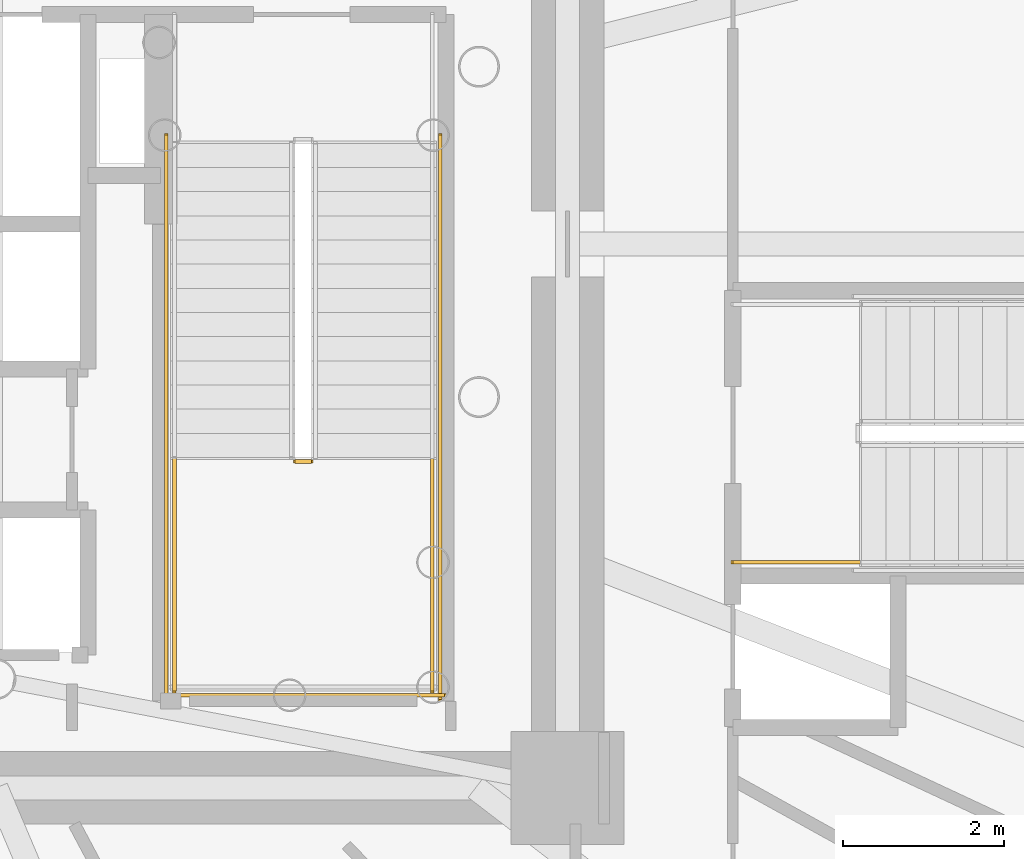
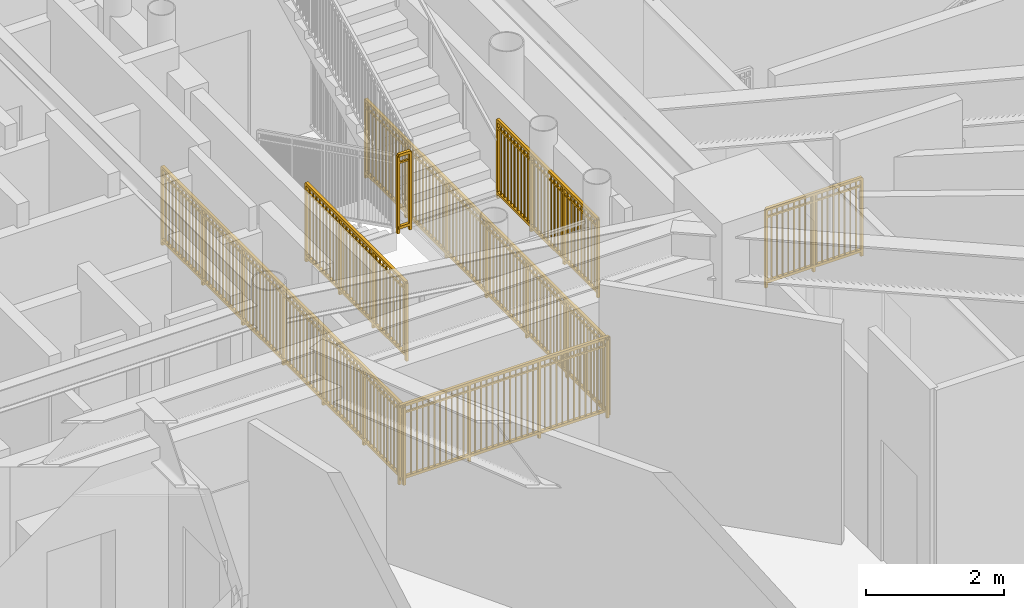
# One storey, part 23 of 27: 7 railings.
"""IFC4 building model written with IfcOpenShell, lengths in metres."""

import ifcopenshell
import ifcopenshell.guid

model = None  # the IFC model being written
_history = None  # IfcOwnerHistory: only IFC2X3 demands one
_inside = {}  # id of a spatial element -> (the spatial element, [elements in it])
_under = {}  # id of a project, library or spatial element -> (it, [spatial elements below it])
_declared = {}  # id of a project -> (the project, [libraries it declares])
_typed = {}  # id of a type object -> (the type object, [elements of that type])
_made_of = {}  # id of a material, layer set ... -> (it, [elements and type objects made of it])


def new_model(schema):
    """Start an empty IFC model of exactly this schema.

    Asked for "IFC4X3", IfcOpenShell would pick the latest addendum, in which some entities
    have other attributes; the version numbers below select the first issue.
    IFC2X3 requires an IfcOwnerHistory on every rooted entity: one is made here for all.
    """
    global model, _history
    if schema == "IFC4X3":
        model = ifcopenshell.file(schema_version=(4, 3, 0, 0))
    else:
        model = ifcopenshell.file(schema=schema)
    _inside.clear()
    _under.clear()
    _declared.clear()
    _typed.clear()
    _made_of.clear()
    _history = None
    if model.schema == "IFC2X3":
        org = make("IfcOrganization", Name="unknown")
        user = make(
            "IfcPersonAndOrganization",
            ThePerson=make("IfcPerson", FamilyName="unknown"),
            TheOrganization=org,
        )
        app = make(
            "IfcApplication",
            ApplicationDeveloper=org,
            Version="unknown",
            ApplicationFullName="unknown",
            ApplicationIdentifier="unknown",
        )
        _history = make(
            "IfcOwnerHistory",
            OwningUser=user,
            OwningApplication=app,
            ChangeAction="ADDED",
            CreationDate=0,
        )
    return model


def make(cls, **values):
    """One entity of the class cls with the attributes given. An attribute that is None is left unset."""
    return model.create_entity(
        cls, **{name: value for name, value in values.items() if value is not None}
    )


def rooted(cls, **values):
    """An entity with a GlobalId (a new one), such as an element, a storey or a relation."""
    return make(cls, GlobalId=ifcopenshell.guid.new(), OwnerHistory=_history, **values)


def si_unit(unit_type, name, prefix=None):
    """IfcSIUnit, for example si_unit("LENGTHUNIT", "METRE", prefix="MILLI")."""
    return make("IfcSIUnit", UnitType=unit_type, Prefix=prefix, Name=name)


def assignment(units):
    """IfcUnitAssignment: the units of a project."""
    return None if units is None else make("IfcUnitAssignment", Units=units)


def point(xyz):
    """IfcCartesianPoint."""
    return None if xyz is None else make("IfcCartesianPoint", Coordinates=xyz)


def direction(xyz):
    """IfcDirection."""
    return None if xyz is None else make("IfcDirection", DirectionRatios=xyz)


def frame(location, z_axis=None, x_axis=None):
    """IfcAxis2Placement3D, a coordinate frame: its origin and axes. An axis left out is left unset."""
    return make(
        "IfcAxis2Placement3D",
        Location=point(location),
        Axis=direction(z_axis),
        RefDirection=direction(x_axis),
    )


def frame_2d(location, x_axis=None):
    """IfcAxis2Placement2D, a coordinate frame in the plane: its origin and x axis."""
    return make(
        "IfcAxis2Placement2D", Location=point(location), RefDirection=direction(x_axis)
    )


def origin():
    """The frame at (0, 0, 0) with its axes left unset."""
    return frame((0.0, 0.0, 0.0))


def origin_2d():
    """The frame at (0, 0) in the plane with its x axis left unset."""
    return frame_2d((0.0, 0.0))


def place(relative_to, where):
    """IfcLocalPlacement: puts the frame where relative to a parent placement (None: the world)."""
    return make(
        "IfcLocalPlacement", PlacementRelTo=relative_to, RelativePlacement=where
    )


def context(
    kind, dimensions, precision=None, world=None, true_north=None, identifier=None
):
    """IfcGeometricRepresentationContext, for example the 3D "Model" context."""
    return make(
        "IfcGeometricRepresentationContext",
        ContextIdentifier=identifier,
        ContextType=kind,
        CoordinateSpaceDimension=dimensions,
        Precision=precision,
        WorldCoordinateSystem=world,
        TrueNorth=true_north,
    )


def subcontext(parent, identifier, kind, view, scale=None):
    """IfcGeometricRepresentationSubContext, for example "Body" below "Model"."""
    return make(
        "IfcGeometricRepresentationSubContext",
        ContextIdentifier=identifier,
        ContextType=kind,
        ParentContext=parent,
        TargetScale=scale,
        TargetView=view,
    )


def project(units=None, contexts=None):
    """IfcProject with its units and contexts."""
    return rooted(
        "IfcProject",
        Name="project",
        RepresentationContexts=contexts,
        UnitsInContext=assignment(units),
    )


def spatial(cls, under=None, at=None, **own):
    """A site, building, storey or space (cls), placed at a placement, below another one or the project."""
    s = rooted(cls, ObjectPlacement=at, **own)
    if under is not None:
        _under.setdefault(under.id(), (under, []))[1].append(s)
    return s


def profile(cls, at=None, kind="AREA", **sizes):
    """A parametric profile (cls). Its sizes go by their IFC names, for example OverallWidth=200.0."""
    return make(cls, ProfileType=kind, Position=at, **sizes)


def rectangle(**sizes):
    """IfcRectangleProfileDef."""
    return profile("IfcRectangleProfileDef", **sizes)


def extrude(swept, where, along, depth):
    """IfcExtrudedAreaSolid: the profile swept, set in the frame where, extruded along a direction by depth."""
    return make(
        "IfcExtrudedAreaSolid",
        SweptArea=swept,
        Position=where,
        ExtrudedDirection=direction(along),
        Depth=depth,
    )


def shape(context_of_items, identifier, shape_type, items):
    """IfcShapeRepresentation: the items that make up one representation, for example the "Body"."""
    return make(
        "IfcShapeRepresentation",
        ContextOfItems=context_of_items,
        RepresentationIdentifier=identifier,
        RepresentationType=shape_type,
        Items=items,
    )


def source(mapping_origin, context_of_items, identifier, shape_type, items):
    """IfcRepresentationMap: a shape defined once, which mapped items show again and again."""
    return make(
        "IfcRepresentationMap",
        MappingOrigin=mapping_origin,
        MappedRepresentation=shape(context_of_items, identifier, shape_type, items),
    )


def transform(
    local_origin,
    x_axis=None,
    y_axis=None,
    z_axis=None,
    scale=None,
    scale2=None,
    scale3=None,
    uniform=True,
):
    """IfcCartesianTransformationOperator3D, or its non-uniform kind. x_axis, y_axis, z_axis: its Axis1, 2, 3."""
    if uniform:
        return make(
            "IfcCartesianTransformationOperator3D",
            Axis1=direction(x_axis),
            Axis2=direction(y_axis),
            LocalOrigin=point(local_origin),
            Scale=scale,
            Axis3=direction(z_axis),
        )
    return make(
        "IfcCartesianTransformationOperator3DnonUniform",
        Axis1=direction(x_axis),
        Axis2=direction(y_axis),
        LocalOrigin=point(local_origin),
        Scale=scale,
        Axis3=direction(z_axis),
        Scale2=scale2,
        Scale3=scale3,
    )


def mapped(mapping_source, mapping_target):
    """IfcMappedItem: shows the shape of a source again, moved by a transform."""
    return make(
        "IfcMappedItem", MappingSource=mapping_source, MappingTarget=mapping_target
    )


def material(Name=None, Category=None):
    """IfcMaterial."""
    return make("IfcMaterial", Name=Name, Category=Category)


def made_of(thing, what):
    """Note that an element or type object is made of a material, layer set ...; save() writes the relation."""
    if what is not None:
        _made_of.setdefault(what.id(), (what, []))[1].append(thing)
    return thing


def type_object(cls, material=None, **own):
    """A type object (cls), such as IfcWallType, which elements share."""
    return made_of(rooted(cls, **own), material)


def element(
    cls,
    number,
    at=None,
    inside=None,
    cuts=None,
    type_object=None,
    material=None,
    context=None,
    identifier="Body",
    shape_type=None,
    held_by="IfcProductDefinitionShape",
    body=None,
    shapes=None,
    **own,
):
    """One element of the class cls, such as IfcWall. Its Tag is "e" and its number.

    at: its placement. inside: the storey or other place that contains it. cuts: it is an
    opening in that element (IfcRelVoidsElement). A single representation is given by context,
    identifier, shape_type and body (its items); several are given by shapes. held_by: the class
    of the entity that holds the representations. save() writes the other relations.
    """
    e = rooted(cls, Tag="e%d" % number, ObjectPlacement=at, **own)
    if body is not None:
        shapes = [shape(context, identifier, shape_type, body)]
    if shapes is not None:
        e.Representation = make(held_by, Representations=shapes)
    if inside is not None:
        _inside.setdefault(inside.id(), (inside, []))[1].append(e)
    if cuts is not None:
        rooted(
            "IfcRelVoidsElement", RelatingBuildingElement=cuts, RelatedOpeningElement=e
        )
    if type_object is not None:
        _typed.setdefault(type_object.id(), (type_object, []))[1].append(e)
    return made_of(e, material)


def aggregate(whole, parts):
    """IfcRelAggregates: a whole, such as a stair, and the parts it consists of."""
    return rooted("IfcRelAggregates", RelatingObject=whole, RelatedObjects=parts)


def save(model, path):
    """Write the relations noted so far, then the file.

    IfcRelAggregates (storeys below a building ...), IfcRelContainedInSpatialStructure (elements
    in a storey), IfcRelDefinesByType, IfcRelAssociatesMaterial and IfcRelDeclares: one each for
    every whole, place, type object, material and project.
    """
    for whole, parts in _under.values():
        aggregate(whole, parts)
    for where, things in _inside.values():
        rooted(
            "IfcRelContainedInSpatialStructure",
            RelatedElements=things,
            RelatingStructure=where,
        )
    for kind, things in _typed.values():
        rooted("IfcRelDefinesByType", RelatedObjects=things, RelatingType=kind)
    for what, things in _made_of.values():
        rooted("IfcRelAssociatesMaterial", RelatedObjects=things, RelatingMaterial=what)
    for by, libraries in _declared.values():
        rooted("IfcRelDeclares", RelatingContext=by, RelatedDefinitions=libraries)
    model.write(path)


model = new_model("IFC4")

# Units and contexts
model_context = context("Model", 3, precision=1e-05, world=origin(), true_north=direction((0.0, 1.0)))
body_context = subcontext(model_context, "Body", "Model", "MODEL_VIEW")
ifc_project = project(units=[si_unit("LENGTHUNIT", "METRE"), si_unit("AREAUNIT", "SQUARE_METRE"), si_unit("VOLUMEUNIT", "CUBIC_METRE"), si_unit("PLANEANGLEUNIT", "RADIAN"), si_unit("MASSUNIT", "GRAM", prefix="KILO")], contexts=[model_context])

# Site, building, storey
site_placement = place(None, origin())
site = spatial("IfcSite", under=ifc_project, at=site_placement, CompositionType="ELEMENT")
building_placement = place(site_placement, origin())
building = spatial("IfcBuilding", under=site, at=building_placement, Name="Linh Dai School and Residence Tower", CompositionType="ELEMENT")
storey_placement = place(building_placement, frame((0.0, 0.0, 18.60009765625)))
storey = spatial("IfcBuildingStorey", under=building, at=storey_placement, Name="L04", CompositionType="ELEMENT", Elevation=18.60009765625)

# Railings
ifc_material = material(Name="Structural Steel S355JR", Category="steel")
railing_type = type_object("IfcRailingType", Name="RL-ST-GUARD-1400", PredefinedType="GUARDRAIL", material=ifc_material)
shared_shape_1 = source(origin(), body_context, "Body", "SweptSolid", [
    extrude(rectangle(XDim=0.048095703125, YDim=0.048095703125, at=origin_2d()), frame((0.0, 0.0, 1.3759765625), z_axis=(1.0, 0.0, 0.0), x_axis=(0.0, 1.0, 0.0)), (0.0, 0.0, 1.0), 0.199951171875),
    extrude(rectangle(XDim=0.048095703125, YDim=0.048095703125, at=origin_2d()), frame((0.0, 0.0, 0.10009765625), z_axis=(1.0, 0.0, 0.0), x_axis=(0.0, 1.0, 0.0)), (0.0, 0.0, 1.0), 0.199951171875),
    extrude(rectangle(XDim=0.030029296875, YDim=0.030029296875, at=origin_2d()), frame((0.0, 0.0, 1.239990234375), z_axis=(1.0, 0.0, 0.0), x_axis=(0.0, 1.0, 0.0)), (0.0, 0.0, 1.0), 0.199951171875),
    extrude(rectangle(XDim=0.0419921875, YDim=0.0419921875, at=origin_2d()), origin(), (0.0, 0.0, 1.0), 1.3759765625),
    extrude(rectangle(XDim=0.0419921875, YDim=0.0419921875, at=origin_2d()), frame((0.199951171875, 0.0, 0.0)), (0.0, 0.0, 1.0), 1.3759765625),
])
railing_1_placement = place(storey_placement, frame((42.570068359375, 24.300048828125, 2.099853515625)))
element("IfcRailing", 1, at=railing_1_placement, inside=storey, type_object=railing_type, Name="L04 ST2 stair guard 2", PredefinedType="GUARDRAIL", context=body_context, shape_type="MappedRepresentation", body=[
    mapped(shared_shape_1, transform((0.0, 0.0, 0.0), x_axis=(1.0, 0.0, 0.0), y_axis=(0.0, 1.0, 0.0), z_axis=(0.0, 0.0, 1.0), scale=1.0)),
])
shared_shape_2 = source(origin(), body_context, "Body", "SweptSolid", [
    extrude(rectangle(XDim=0.048095703125, YDim=0.048095703125, at=origin_2d()), frame((0.0, 0.0, 1.3759765625), z_axis=(0.0, -1.0, 0.0), x_axis=(1.0, 0.0, 0.0)), (0.0, 0.0, 1.0), 7.0),
    extrude(rectangle(XDim=0.048095703125, YDim=0.048095703125, at=origin_2d()), frame((0.0, 0.0, 0.10009765625), z_axis=(0.0, -1.0, 0.0), x_axis=(1.0, 0.0, 0.0)), (0.0, 0.0, 1.0), 7.0),
    extrude(rectangle(XDim=0.030029296875, YDim=0.030029296875, at=origin_2d()), frame((0.0, 0.0, 1.239990234375), z_axis=(0.0, -1.0, 0.0), x_axis=(1.0, 0.0, 0.0)), (0.0, 0.0, 1.0), 7.0),
    extrude(rectangle(XDim=0.02001953125, YDim=0.02001953125, at=origin_2d()), frame((0.0, -0.09716796875, 0.10009765625)), (0.0, 0.0, 1.0), 1.251708984375),
    extrude(rectangle(XDim=0.02001953125, YDim=0.02001953125, at=origin_2d()), frame((0.0, -0.1943359375, 0.10009765625)), (0.0, 0.0, 1.0), 1.251708984375),
    extrude(rectangle(XDim=0.02001953125, YDim=0.02001953125, at=origin_2d()), frame((0.0, -0.291748046875, 0.10009765625)), (0.0, 0.0, 1.0), 1.251708984375),
    extrude(rectangle(XDim=0.02001953125, YDim=0.02001953125, at=origin_2d()), frame((0.0, -0.388916015625, 0.10009765625)), (0.0, 0.0, 1.0), 1.251708984375),
    extrude(rectangle(XDim=0.02001953125, YDim=0.02001953125, at=origin_2d()), frame((0.0, -0.486083984375, 0.10009765625)), (0.0, 0.0, 1.0), 1.251708984375),
    extrude(rectangle(XDim=0.02001953125, YDim=0.02001953125, at=origin_2d()), frame((0.0, -0.583251953125, 0.10009765625)), (0.0, 0.0, 1.0), 1.251708984375),
    extrude(rectangle(XDim=0.02001953125, YDim=0.02001953125, at=origin_2d()), frame((0.0, -0.6806640625, 0.10009765625)), (0.0, 0.0, 1.0), 1.251708984375),
    extrude(rectangle(XDim=0.02001953125, YDim=0.02001953125, at=origin_2d()), frame((0.0, -0.77783203125, 0.10009765625)), (0.0, 0.0, 1.0), 1.251708984375),
    extrude(rectangle(XDim=0.02001953125, YDim=0.02001953125, at=origin_2d()), frame((0.0, -0.875, 0.10009765625)), (0.0, 0.0, 1.0), 1.251708984375),
    extrude(rectangle(XDim=0.02001953125, YDim=0.02001953125, at=origin_2d()), frame((0.0, -0.97216796875, 0.10009765625)), (0.0, 0.0, 1.0), 1.251708984375),
    extrude(rectangle(XDim=0.02001953125, YDim=0.02001953125, at=origin_2d()), frame((0.0, -1.0693359375, 0.10009765625)), (0.0, 0.0, 1.0), 1.251708984375),
    extrude(rectangle(XDim=0.02001953125, YDim=0.02001953125, at=origin_2d()), frame((0.0, -1.263916015625, 0.10009765625)), (0.0, 0.0, 1.0), 1.251708984375),
    extrude(rectangle(XDim=0.02001953125, YDim=0.02001953125, at=origin_2d()), frame((0.0, -1.361083984375, 0.10009765625)), (0.0, 0.0, 1.0), 1.251708984375),
    extrude(rectangle(XDim=0.02001953125, YDim=0.02001953125, at=origin_2d()), frame((0.0, -1.458251953125, 0.10009765625)), (0.0, 0.0, 1.0), 1.251708984375),
    extrude(rectangle(XDim=0.02001953125, YDim=0.02001953125, at=origin_2d()), frame((0.0, -1.5556640625, 0.10009765625)), (0.0, 0.0, 1.0), 1.251708984375),
    extrude(rectangle(XDim=0.02001953125, YDim=0.02001953125, at=origin_2d()), frame((0.0, -1.65283203125, 0.10009765625)), (0.0, 0.0, 1.0), 1.251708984375),
    extrude(rectangle(XDim=0.02001953125, YDim=0.02001953125, at=origin_2d()), frame((0.0, -1.75, 0.10009765625)), (0.0, 0.0, 1.0), 1.251708984375),
    extrude(rectangle(XDim=0.02001953125, YDim=0.02001953125, at=origin_2d()), frame((0.0, -1.84716796875, 0.10009765625)), (0.0, 0.0, 1.0), 1.251708984375),
    extrude(rectangle(XDim=0.02001953125, YDim=0.02001953125, at=origin_2d()), frame((0.0, -1.9443359375, 0.10009765625)), (0.0, 0.0, 1.0), 1.251708984375),
    extrude(rectangle(XDim=0.02001953125, YDim=0.02001953125, at=origin_2d()), frame((0.0, -2.041748046875, 0.10009765625)), (0.0, 0.0, 1.0), 1.251708984375),
    extrude(rectangle(XDim=0.02001953125, YDim=0.02001953125, at=origin_2d()), frame((0.0, -2.138916015625, 0.10009765625)), (0.0, 0.0, 1.0), 1.251708984375),
    extrude(rectangle(XDim=0.02001953125, YDim=0.02001953125, at=origin_2d()), frame((0.0, -2.236083984375, 0.10009765625)), (0.0, 0.0, 1.0), 1.251708984375),
    extrude(rectangle(XDim=0.02001953125, YDim=0.02001953125, at=origin_2d()), frame((0.0, -2.4306640625, 0.10009765625)), (0.0, 0.0, 1.0), 1.251708984375),
    extrude(rectangle(XDim=0.02001953125, YDim=0.02001953125, at=origin_2d()), frame((0.0, -2.52783203125, 0.10009765625)), (0.0, 0.0, 1.0), 1.251708984375),
    extrude(rectangle(XDim=0.02001953125, YDim=0.02001953125, at=origin_2d()), frame((0.0, -2.625, 0.10009765625)), (0.0, 0.0, 1.0), 1.251708984375),
    extrude(rectangle(XDim=0.02001953125, YDim=0.02001953125, at=origin_2d()), frame((0.0, -2.72216796875, 0.10009765625)), (0.0, 0.0, 1.0), 1.251708984375),
    extrude(rectangle(XDim=0.02001953125, YDim=0.02001953125, at=origin_2d()), frame((0.0, -2.8193359375, 0.10009765625)), (0.0, 0.0, 1.0), 1.251708984375),
    extrude(rectangle(XDim=0.02001953125, YDim=0.02001953125, at=origin_2d()), frame((0.0, -2.916748046875, 0.10009765625)), (0.0, 0.0, 1.0), 1.251708984375),
    extrude(rectangle(XDim=0.02001953125, YDim=0.02001953125, at=origin_2d()), frame((0.0, -3.013916015625, 0.10009765625)), (0.0, 0.0, 1.0), 1.251708984375),
    extrude(rectangle(XDim=0.02001953125, YDim=0.02001953125, at=origin_2d()), frame((0.0, -3.111083984375, 0.10009765625)), (0.0, 0.0, 1.0), 1.251708984375),
    extrude(rectangle(XDim=0.02001953125, YDim=0.02001953125, at=origin_2d()), frame((0.0, -3.208251953125, 0.10009765625)), (0.0, 0.0, 1.0), 1.251708984375),
    extrude(rectangle(XDim=0.02001953125, YDim=0.02001953125, at=origin_2d()), frame((0.0, -3.3056640625, 0.10009765625)), (0.0, 0.0, 1.0), 1.251708984375),
    extrude(rectangle(XDim=0.02001953125, YDim=0.02001953125, at=origin_2d()), frame((0.0, -3.40283203125, 0.10009765625)), (0.0, 0.0, 1.0), 1.251708984375),
    extrude(rectangle(XDim=0.02001953125, YDim=0.02001953125, at=origin_2d()), frame((0.0, -3.59716796875, 0.10009765625)), (0.0, 0.0, 1.0), 1.251708984375),
    extrude(rectangle(XDim=0.02001953125, YDim=0.02001953125, at=origin_2d()), frame((0.0, -3.6943359375, 0.10009765625)), (0.0, 0.0, 1.0), 1.251708984375),
    extrude(rectangle(XDim=0.02001953125, YDim=0.02001953125, at=origin_2d()), frame((0.0, -3.791748046875, 0.10009765625)), (0.0, 0.0, 1.0), 1.251708984375),
    extrude(rectangle(XDim=0.02001953125, YDim=0.02001953125, at=origin_2d()), frame((0.0, -3.888916015625, 0.10009765625)), (0.0, 0.0, 1.0), 1.251708984375),
    extrude(rectangle(XDim=0.02001953125, YDim=0.02001953125, at=origin_2d()), frame((0.0, -3.986083984375, 0.10009765625)), (0.0, 0.0, 1.0), 1.251708984375),
    extrude(rectangle(XDim=0.02001953125, YDim=0.02001953125, at=origin_2d()), frame((0.0, -4.083251953125, 0.10009765625)), (0.0, 0.0, 1.0), 1.251708984375),
    extrude(rectangle(XDim=0.02001953125, YDim=0.02001953125, at=origin_2d()), frame((0.0, -4.1806640625, 0.10009765625)), (0.0, 0.0, 1.0), 1.251708984375),
    extrude(rectangle(XDim=0.02001953125, YDim=0.02001953125, at=origin_2d()), frame((0.0, -4.27783203125, 0.10009765625)), (0.0, 0.0, 1.0), 1.251708984375),
    extrude(rectangle(XDim=0.02001953125, YDim=0.02001953125, at=origin_2d()), frame((0.0, -4.375, 0.10009765625)), (0.0, 0.0, 1.0), 1.251708984375),
    extrude(rectangle(XDim=0.02001953125, YDim=0.02001953125, at=origin_2d()), frame((0.0, -4.47216796875, 0.10009765625)), (0.0, 0.0, 1.0), 1.251708984375),
    extrude(rectangle(XDim=0.02001953125, YDim=0.02001953125, at=origin_2d()), frame((0.0, -4.5693359375, 0.10009765625)), (0.0, 0.0, 1.0), 1.251708984375),
    extrude(rectangle(XDim=0.02001953125, YDim=0.02001953125, at=origin_2d()), frame((0.0, -4.763916015625, 0.10009765625)), (0.0, 0.0, 1.0), 1.251708984375),
    extrude(rectangle(XDim=0.02001953125, YDim=0.02001953125, at=origin_2d()), frame((0.0, -4.861083984375, 0.10009765625)), (0.0, 0.0, 1.0), 1.251708984375),
    extrude(rectangle(XDim=0.02001953125, YDim=0.02001953125, at=origin_2d()), frame((0.0, -4.958251953125, 0.10009765625)), (0.0, 0.0, 1.0), 1.251708984375),
    extrude(rectangle(XDim=0.02001953125, YDim=0.02001953125, at=origin_2d()), frame((0.0, -5.0556640625, 0.10009765625)), (0.0, 0.0, 1.0), 1.251708984375),
    extrude(rectangle(XDim=0.02001953125, YDim=0.02001953125, at=origin_2d()), frame((0.0, -5.15283203125, 0.10009765625)), (0.0, 0.0, 1.0), 1.251708984375),
    extrude(rectangle(XDim=0.02001953125, YDim=0.02001953125, at=origin_2d()), frame((0.0, -5.25, 0.10009765625)), (0.0, 0.0, 1.0), 1.251708984375),
    extrude(rectangle(XDim=0.02001953125, YDim=0.02001953125, at=origin_2d()), frame((0.0, -5.34716796875, 0.10009765625)), (0.0, 0.0, 1.0), 1.251708984375),
    extrude(rectangle(XDim=0.02001953125, YDim=0.02001953125, at=origin_2d()), frame((0.0, -5.4443359375, 0.10009765625)), (0.0, 0.0, 1.0), 1.251708984375),
    extrude(rectangle(XDim=0.02001953125, YDim=0.02001953125, at=origin_2d()), frame((0.0, -5.541748046875, 0.10009765625)), (0.0, 0.0, 1.0), 1.251708984375),
    extrude(rectangle(XDim=0.02001953125, YDim=0.02001953125, at=origin_2d()), frame((0.0, -5.638916015625, 0.10009765625)), (0.0, 0.0, 1.0), 1.251708984375),
    extrude(rectangle(XDim=0.02001953125, YDim=0.02001953125, at=origin_2d()), frame((0.0, -5.736083984375, 0.10009765625)), (0.0, 0.0, 1.0), 1.251708984375),
    extrude(rectangle(XDim=0.02001953125, YDim=0.02001953125, at=origin_2d()), frame((0.0, -5.9306640625, 0.10009765625)), (0.0, 0.0, 1.0), 1.251708984375),
    extrude(rectangle(XDim=0.02001953125, YDim=0.02001953125, at=origin_2d()), frame((0.0, -6.02783203125, 0.10009765625)), (0.0, 0.0, 1.0), 1.251708984375),
    extrude(rectangle(XDim=0.02001953125, YDim=0.02001953125, at=origin_2d()), frame((0.0, -6.125, 0.10009765625)), (0.0, 0.0, 1.0), 1.251708984375),
    extrude(rectangle(XDim=0.02001953125, YDim=0.02001953125, at=origin_2d()), frame((0.0, -6.22216796875, 0.10009765625)), (0.0, 0.0, 1.0), 1.251708984375),
    extrude(rectangle(XDim=0.02001953125, YDim=0.02001953125, at=origin_2d()), frame((0.0, -6.3193359375, 0.10009765625)), (0.0, 0.0, 1.0), 1.251708984375),
    extrude(rectangle(XDim=0.02001953125, YDim=0.02001953125, at=origin_2d()), frame((0.0, -6.416748046875, 0.10009765625)), (0.0, 0.0, 1.0), 1.251708984375),
    extrude(rectangle(XDim=0.02001953125, YDim=0.02001953125, at=origin_2d()), frame((0.0, -6.513916015625, 0.10009765625)), (0.0, 0.0, 1.0), 1.251708984375),
    extrude(rectangle(XDim=0.02001953125, YDim=0.02001953125, at=origin_2d()), frame((0.0, -6.611083984375, 0.10009765625)), (0.0, 0.0, 1.0), 1.251708984375),
    extrude(rectangle(XDim=0.02001953125, YDim=0.02001953125, at=origin_2d()), frame((0.0, -6.708251953125, 0.10009765625)), (0.0, 0.0, 1.0), 1.251708984375),
    extrude(rectangle(XDim=0.02001953125, YDim=0.02001953125, at=origin_2d()), frame((0.0, -6.8056640625, 0.10009765625)), (0.0, 0.0, 1.0), 1.251708984375),
    extrude(rectangle(XDim=0.02001953125, YDim=0.02001953125, at=origin_2d()), frame((0.0, -6.90283203125, 0.10009765625)), (0.0, 0.0, 1.0), 1.251708984375),
    extrude(rectangle(XDim=0.0419921875, YDim=0.0419921875, at=origin_2d()), origin(), (0.0, 0.0, 1.0), 1.3759765625),
    extrude(rectangle(XDim=0.0419921875, YDim=0.0419921875, at=origin_2d()), frame((0.0, -1.166748046875, 0.0)), (0.0, 0.0, 1.0), 1.3759765625),
    extrude(rectangle(XDim=0.0419921875, YDim=0.0419921875, at=origin_2d()), frame((0.0, -2.333251953125, 0.0)), (0.0, 0.0, 1.0), 1.3759765625),
    extrude(rectangle(XDim=0.0419921875, YDim=0.0419921875, at=origin_2d()), frame((0.0, -3.5, 0.0)), (0.0, 0.0, 1.0), 1.3759765625),
    extrude(rectangle(XDim=0.0419921875, YDim=0.0419921875, at=origin_2d()), frame((0.0, -4.666748046875, 0.0)), (0.0, 0.0, 1.0), 1.3759765625),
    extrude(rectangle(XDim=0.0419921875, YDim=0.0419921875, at=origin_2d()), frame((0.0, -5.833251953125, 0.0)), (0.0, 0.0, 1.0), 1.3759765625),
    extrude(rectangle(XDim=0.0419921875, YDim=0.0419921875, at=origin_2d()), frame((0.0, -7.0, 0.0)), (0.0, 0.0, 1.0), 1.3759765625),
])
for number, where, name in (
    (2, (40.969970703125, 28.35009765625, 0.0), "L04 ST2 stair guard 10"),
    (3, (44.3701171875, 28.35009765625, 0.0), "L04 ST2 stair guard 11"),
):
    element("IfcRailing", number, at=place(storey_placement, frame(where)), inside=storey, type_object=railing_type, Name=name, PredefinedType="GUARDRAIL", context=body_context, shape_type="MappedRepresentation", body=[
        mapped(shared_shape_2, transform((0.0, 0.0, 0.0), x_axis=(1.0, 0.0, 0.0), y_axis=(0.0, 1.0, 0.0), z_axis=(0.0, 0.0, 1.0), scale=1.0)),
    ])
shared_shape_3 = source(origin(), body_context, "Body", "SweptSolid", [
    extrude(rectangle(XDim=0.048095703125, YDim=0.048095703125, at=origin_2d()), frame((0.0, 0.0, 1.3759765625), z_axis=(1.0, 0.0, 0.0), x_axis=(0.0, 1.0, 0.0)), (0.0, 0.0, 1.0), 3.5),
    extrude(rectangle(XDim=0.048095703125, YDim=0.048095703125, at=origin_2d()), frame((0.0, 0.0, 0.10009765625), z_axis=(1.0, 0.0, 0.0), x_axis=(0.0, 1.0, 0.0)), (0.0, 0.0, 1.0), 3.5),
    extrude(rectangle(XDim=0.030029296875, YDim=0.030029296875, at=origin_2d()), frame((0.0, 0.0, 1.239990234375), z_axis=(1.0, 0.0, 0.0), x_axis=(0.0, 1.0, 0.0)), (0.0, 0.0, 1.0), 3.5),
    extrude(rectangle(XDim=0.02001953125, YDim=0.02001953125, at=origin_2d()), frame((0.09716796875, 0.0, 0.10009765625)), (0.0, 0.0, 1.0), 1.251708984375),
    extrude(rectangle(XDim=0.02001953125, YDim=0.02001953125, at=origin_2d()), frame((0.1943359375, 0.0, 0.10009765625)), (0.0, 0.0, 1.0), 1.251708984375),
    extrude(rectangle(XDim=0.02001953125, YDim=0.02001953125, at=origin_2d()), frame((0.291748046875, 0.0, 0.10009765625)), (0.0, 0.0, 1.0), 1.251708984375),
    extrude(rectangle(XDim=0.02001953125, YDim=0.02001953125, at=origin_2d()), frame((0.388916015625, 0.0, 0.10009765625)), (0.0, 0.0, 1.0), 1.251708984375),
    extrude(rectangle(XDim=0.02001953125, YDim=0.02001953125, at=origin_2d()), frame((0.486083984375, 0.0, 0.10009765625)), (0.0, 0.0, 1.0), 1.251708984375),
    extrude(rectangle(XDim=0.02001953125, YDim=0.02001953125, at=origin_2d()), frame((0.583251953125, 0.0, 0.10009765625)), (0.0, 0.0, 1.0), 1.251708984375),
    extrude(rectangle(XDim=0.02001953125, YDim=0.02001953125, at=origin_2d()), frame((0.6806640625, 0.0, 0.10009765625)), (0.0, 0.0, 1.0), 1.251708984375),
    extrude(rectangle(XDim=0.02001953125, YDim=0.02001953125, at=origin_2d()), frame((0.77783203125, 0.0, 0.10009765625)), (0.0, 0.0, 1.0), 1.251708984375),
    extrude(rectangle(XDim=0.02001953125, YDim=0.02001953125, at=origin_2d()), frame((0.875, 0.0, 0.10009765625)), (0.0, 0.0, 1.0), 1.251708984375),
    extrude(rectangle(XDim=0.02001953125, YDim=0.02001953125, at=origin_2d()), frame((0.97216796875, 0.0, 0.10009765625)), (0.0, 0.0, 1.0), 1.251708984375),
    extrude(rectangle(XDim=0.02001953125, YDim=0.02001953125, at=origin_2d()), frame((1.0693359375, 0.0, 0.10009765625)), (0.0, 0.0, 1.0), 1.251708984375),
    extrude(rectangle(XDim=0.02001953125, YDim=0.02001953125, at=origin_2d()), frame((1.263916015625, 0.0, 0.10009765625)), (0.0, 0.0, 1.0), 1.251708984375),
    extrude(rectangle(XDim=0.02001953125, YDim=0.02001953125, at=origin_2d()), frame((1.361083984375, 0.0, 0.10009765625)), (0.0, 0.0, 1.0), 1.251708984375),
    extrude(rectangle(XDim=0.02001953125, YDim=0.02001953125, at=origin_2d()), frame((1.458251953125, 0.0, 0.10009765625)), (0.0, 0.0, 1.0), 1.251708984375),
    extrude(rectangle(XDim=0.02001953125, YDim=0.02001953125, at=origin_2d()), frame((1.5556640625, 0.0, 0.10009765625)), (0.0, 0.0, 1.0), 1.251708984375),
    extrude(rectangle(XDim=0.02001953125, YDim=0.02001953125, at=origin_2d()), frame((1.65283203125, 0.0, 0.10009765625)), (0.0, 0.0, 1.0), 1.251708984375),
    extrude(rectangle(XDim=0.02001953125, YDim=0.02001953125, at=origin_2d()), frame((1.75, 0.0, 0.10009765625)), (0.0, 0.0, 1.0), 1.251708984375),
    extrude(rectangle(XDim=0.02001953125, YDim=0.02001953125, at=origin_2d()), frame((1.84716796875, 0.0, 0.10009765625)), (0.0, 0.0, 1.0), 1.251708984375),
    extrude(rectangle(XDim=0.02001953125, YDim=0.02001953125, at=origin_2d()), frame((1.9443359375, 0.0, 0.10009765625)), (0.0, 0.0, 1.0), 1.251708984375),
    extrude(rectangle(XDim=0.02001953125, YDim=0.02001953125, at=origin_2d()), frame((2.041748046875, 0.0, 0.10009765625)), (0.0, 0.0, 1.0), 1.251708984375),
    extrude(rectangle(XDim=0.02001953125, YDim=0.02001953125, at=origin_2d()), frame((2.138916015625, 0.0, 0.10009765625)), (0.0, 0.0, 1.0), 1.251708984375),
    extrude(rectangle(XDim=0.02001953125, YDim=0.02001953125, at=origin_2d()), frame((2.236083984375, 0.0, 0.10009765625)), (0.0, 0.0, 1.0), 1.251708984375),
    extrude(rectangle(XDim=0.02001953125, YDim=0.02001953125, at=origin_2d()), frame((2.4306640625, 0.0, 0.10009765625)), (0.0, 0.0, 1.0), 1.251708984375),
    extrude(rectangle(XDim=0.02001953125, YDim=0.02001953125, at=origin_2d()), frame((2.52783203125, 0.0, 0.10009765625)), (0.0, 0.0, 1.0), 1.251708984375),
    extrude(rectangle(XDim=0.02001953125, YDim=0.02001953125, at=origin_2d()), frame((2.625, 0.0, 0.10009765625)), (0.0, 0.0, 1.0), 1.251708984375),
    extrude(rectangle(XDim=0.02001953125, YDim=0.02001953125, at=origin_2d()), frame((2.72216796875, 0.0, 0.10009765625)), (0.0, 0.0, 1.0), 1.251708984375),
    extrude(rectangle(XDim=0.02001953125, YDim=0.02001953125, at=origin_2d()), frame((2.8193359375, 0.0, 0.10009765625)), (0.0, 0.0, 1.0), 1.251708984375),
    extrude(rectangle(XDim=0.02001953125, YDim=0.02001953125, at=origin_2d()), frame((2.916748046875, 0.0, 0.10009765625)), (0.0, 0.0, 1.0), 1.251708984375),
    extrude(rectangle(XDim=0.02001953125, YDim=0.02001953125, at=origin_2d()), frame((3.013916015625, 0.0, 0.10009765625)), (0.0, 0.0, 1.0), 1.251708984375),
    extrude(rectangle(XDim=0.02001953125, YDim=0.02001953125, at=origin_2d()), frame((3.111083984375, 0.0, 0.10009765625)), (0.0, 0.0, 1.0), 1.251708984375),
    extrude(rectangle(XDim=0.02001953125, YDim=0.02001953125, at=origin_2d()), frame((3.208251953125, 0.0, 0.10009765625)), (0.0, 0.0, 1.0), 1.251708984375),
    extrude(rectangle(XDim=0.02001953125, YDim=0.02001953125, at=origin_2d()), frame((3.3056640625, 0.0, 0.10009765625)), (0.0, 0.0, 1.0), 1.251708984375),
    extrude(rectangle(XDim=0.02001953125, YDim=0.02001953125, at=origin_2d()), frame((3.40283203125, 0.0, 0.10009765625)), (0.0, 0.0, 1.0), 1.251708984375),
    extrude(rectangle(XDim=0.0419921875, YDim=0.0419921875, at=origin_2d()), origin(), (0.0, 0.0, 1.0), 1.3759765625),
    extrude(rectangle(XDim=0.0419921875, YDim=0.0419921875, at=origin_2d()), frame((1.166748046875, 0.0, 0.0)), (0.0, 0.0, 1.0), 1.3759765625),
    extrude(rectangle(XDim=0.0419921875, YDim=0.0419921875, at=origin_2d()), frame((2.333251953125, 0.0, 0.0)), (0.0, 0.0, 1.0), 1.3759765625),
    extrude(rectangle(XDim=0.0419921875, YDim=0.0419921875, at=origin_2d()), frame((3.5, 0.0, 0.0)), (0.0, 0.0, 1.0), 1.3759765625),
])
railing_2_placement = place(storey_placement, frame((40.919921875, 21.39990234375, 0.0)))
element("IfcRailing", 4, at=railing_2_placement, inside=storey, type_object=railing_type, Name="L04 ST2 stair guard 12", PredefinedType="GUARDRAIL", context=body_context, shape_type="MappedRepresentation", body=[
    mapped(shared_shape_3, transform((0.0, 0.0, 0.0), x_axis=(1.0, 0.0, 0.0), y_axis=(0.0, 1.0, 0.0), z_axis=(0.0, 0.0, 1.0), scale=1.0)),
])
shared_shape_4 = source(origin(), body_context, "Body", "SweptSolid", [
    extrude(rectangle(XDim=0.048095703125, YDim=0.048095703125, at=origin_2d()), frame((0.0, 0.0, 1.3759765625), z_axis=(0.0, -1.0, 0.0), x_axis=(1.0, 0.0, 0.0)), (0.0, 0.0, 1.0), 2.900146484375),
    extrude(rectangle(XDim=0.048095703125, YDim=0.048095703125, at=origin_2d()), frame((0.0, 0.0, 0.10009765625), z_axis=(0.0, -1.0, 0.0), x_axis=(1.0, 0.0, 0.0)), (0.0, 0.0, 1.0), 2.900146484375),
    extrude(rectangle(XDim=0.030029296875, YDim=0.030029296875, at=origin_2d()), frame((0.0, 0.0, 1.239990234375), z_axis=(0.0, -1.0, 0.0), x_axis=(1.0, 0.0, 0.0)), (0.0, 0.0, 1.0), 2.900146484375),
    extrude(rectangle(XDim=0.02001953125, YDim=0.02001953125, at=origin_2d()), frame((0.0, -0.0966796875, 0.10009765625)), (0.0, 0.0, 1.0), 1.251708984375),
    extrude(rectangle(XDim=0.02001953125, YDim=0.02001953125, at=origin_2d()), frame((0.0, -0.193359375, 0.10009765625)), (0.0, 0.0, 1.0), 1.251708984375),
    extrude(rectangle(XDim=0.02001953125, YDim=0.02001953125, at=origin_2d()), frame((0.0, -0.2900390625, 0.10009765625)), (0.0, 0.0, 1.0), 1.251708984375),
    extrude(rectangle(XDim=0.02001953125, YDim=0.02001953125, at=origin_2d()), frame((0.0, -0.38671875, 0.10009765625)), (0.0, 0.0, 1.0), 1.251708984375),
    extrude(rectangle(XDim=0.02001953125, YDim=0.02001953125, at=origin_2d()), frame((0.0, -0.4833984375, 0.10009765625)), (0.0, 0.0, 1.0), 1.251708984375),
    extrude(rectangle(XDim=0.02001953125, YDim=0.02001953125, at=origin_2d()), frame((0.0, -0.580078125, 0.10009765625)), (0.0, 0.0, 1.0), 1.251708984375),
    extrude(rectangle(XDim=0.02001953125, YDim=0.02001953125, at=origin_2d()), frame((0.0, -0.6767578125, 0.10009765625)), (0.0, 0.0, 1.0), 1.251708984375),
    extrude(rectangle(XDim=0.02001953125, YDim=0.02001953125, at=origin_2d()), frame((0.0, -0.7734375, 0.10009765625)), (0.0, 0.0, 1.0), 1.251708984375),
    extrude(rectangle(XDim=0.02001953125, YDim=0.02001953125, at=origin_2d()), frame((0.0, -0.8701171875, 0.10009765625)), (0.0, 0.0, 1.0), 1.251708984375),
    extrude(rectangle(XDim=0.02001953125, YDim=0.02001953125, at=origin_2d()), frame((0.0, -1.0634765625, 0.10009765625)), (0.0, 0.0, 1.0), 1.251708984375),
    extrude(rectangle(XDim=0.02001953125, YDim=0.02001953125, at=origin_2d()), frame((0.0, -1.16015625, 0.10009765625)), (0.0, 0.0, 1.0), 1.251708984375),
    extrude(rectangle(XDim=0.02001953125, YDim=0.02001953125, at=origin_2d()), frame((0.0, -1.2568359375, 0.10009765625)), (0.0, 0.0, 1.0), 1.251708984375),
    extrude(rectangle(XDim=0.02001953125, YDim=0.02001953125, at=origin_2d()), frame((0.0, -1.353515625, 0.10009765625)), (0.0, 0.0, 1.0), 1.251708984375),
    extrude(rectangle(XDim=0.02001953125, YDim=0.02001953125, at=origin_2d()), frame((0.0, -1.4501953125, 0.10009765625)), (0.0, 0.0, 1.0), 1.251708984375),
    extrude(rectangle(XDim=0.02001953125, YDim=0.02001953125, at=origin_2d()), frame((0.0, -1.546630859375, 0.10009765625)), (0.0, 0.0, 1.0), 1.251708984375),
    extrude(rectangle(XDim=0.02001953125, YDim=0.02001953125, at=origin_2d()), frame((0.0, -1.643310546875, 0.10009765625)), (0.0, 0.0, 1.0), 1.251708984375),
    extrude(rectangle(XDim=0.02001953125, YDim=0.02001953125, at=origin_2d()), frame((0.0, -1.739990234375, 0.10009765625)), (0.0, 0.0, 1.0), 1.251708984375),
    extrude(rectangle(XDim=0.02001953125, YDim=0.02001953125, at=origin_2d()), frame((0.0, -1.836669921875, 0.10009765625)), (0.0, 0.0, 1.0), 1.251708984375),
    extrude(rectangle(XDim=0.02001953125, YDim=0.02001953125, at=origin_2d()), frame((0.0, -2.030029296875, 0.10009765625)), (0.0, 0.0, 1.0), 1.251708984375),
    extrude(rectangle(XDim=0.02001953125, YDim=0.02001953125, at=origin_2d()), frame((0.0, -2.126708984375, 0.10009765625)), (0.0, 0.0, 1.0), 1.251708984375),
    extrude(rectangle(XDim=0.02001953125, YDim=0.02001953125, at=origin_2d()), frame((0.0, -2.223388671875, 0.10009765625)), (0.0, 0.0, 1.0), 1.251708984375),
    extrude(rectangle(XDim=0.02001953125, YDim=0.02001953125, at=origin_2d()), frame((0.0, -2.320068359375, 0.10009765625)), (0.0, 0.0, 1.0), 1.251708984375),
    extrude(rectangle(XDim=0.02001953125, YDim=0.02001953125, at=origin_2d()), frame((0.0, -2.416748046875, 0.10009765625)), (0.0, 0.0, 1.0), 1.251708984375),
    extrude(rectangle(XDim=0.02001953125, YDim=0.02001953125, at=origin_2d()), frame((0.0, -2.513427734375, 0.10009765625)), (0.0, 0.0, 1.0), 1.251708984375),
    extrude(rectangle(XDim=0.02001953125, YDim=0.02001953125, at=origin_2d()), frame((0.0, -2.610107421875, 0.10009765625)), (0.0, 0.0, 1.0), 1.251708984375),
    extrude(rectangle(XDim=0.02001953125, YDim=0.02001953125, at=origin_2d()), frame((0.0, -2.706787109375, 0.10009765625)), (0.0, 0.0, 1.0), 1.251708984375),
    extrude(rectangle(XDim=0.02001953125, YDim=0.02001953125, at=origin_2d()), frame((0.0, -2.803466796875, 0.10009765625)), (0.0, 0.0, 1.0), 1.251708984375),
    extrude(rectangle(XDim=0.0419921875, YDim=0.0419921875, at=origin_2d()), origin(), (0.0, 0.0, 1.0), 1.3759765625),
    extrude(rectangle(XDim=0.0419921875, YDim=0.0419921875, at=origin_2d()), frame((0.0, -0.966796875, 0.0)), (0.0, 0.0, 1.0), 1.3759765625),
    extrude(rectangle(XDim=0.0419921875, YDim=0.0419921875, at=origin_2d()), frame((0.0, -1.933349609375, 0.0)), (0.0, 0.0, 1.0), 1.3759765625),
    extrude(rectangle(XDim=0.0419921875, YDim=0.0419921875, at=origin_2d()), frame((0.0, -2.900146484375, 0.0)), (0.0, 0.0, 1.0), 1.3759765625),
])
for number, where, name in (
    (5, (41.070068359375, 24.35009765625, 2.099853515625), "L04 ST2 stair guard 3"),
    (6, (44.27001953125, 24.35009765625, 2.099853515625), "L04 ST2 stair guard 4"),
):
    element("IfcRailing", number, at=place(storey_placement, frame(where)), inside=storey, type_object=railing_type, Name=name, PredefinedType="GUARDRAIL", context=body_context, shape_type="MappedRepresentation", body=[
        mapped(shared_shape_4, transform((0.0, 0.0, 0.0), x_axis=(1.0, 0.0, 0.0), y_axis=(0.0, 1.0, 0.0), z_axis=(0.0, 0.0, 1.0), scale=1.0)),
    ])
shared_shape_5 = source(origin(), body_context, "Body", "SweptSolid", [
    extrude(rectangle(XDim=0.048095703125, YDim=0.048095703125, at=origin_2d()), frame((0.0, 0.0, 1.3759765625), z_axis=(1.0, 0.0, 0.0), x_axis=(0.0, 1.0, 0.0)), (0.0, 0.0, 1.0), 1.60009765625),
    extrude(rectangle(XDim=0.048095703125, YDim=0.048095703125, at=origin_2d()), frame((0.0, 0.0, 0.10009765625), z_axis=(1.0, 0.0, 0.0), x_axis=(0.0, 1.0, 0.0)), (0.0, 0.0, 1.0), 1.60009765625),
    extrude(rectangle(XDim=0.030029296875, YDim=0.030029296875, at=origin_2d()), frame((0.0, 0.0, 1.239990234375), z_axis=(1.0, 0.0, 0.0), x_axis=(0.0, 1.0, 0.0)), (0.0, 0.0, 1.0), 1.60009765625),
    extrude(rectangle(XDim=0.02001953125, YDim=0.02001953125, at=origin_2d()), frame((0.09423828125, 0.0, 0.10009765625)), (0.0, 0.0, 1.0), 1.251708984375),
    extrude(rectangle(XDim=0.02001953125, YDim=0.02001953125, at=origin_2d()), frame((0.188232421875, 0.0, 0.10009765625)), (0.0, 0.0, 1.0), 1.251708984375),
    extrude(rectangle(XDim=0.02001953125, YDim=0.02001953125, at=origin_2d()), frame((0.282470703125, 0.0, 0.10009765625)), (0.0, 0.0, 1.0), 1.251708984375),
    extrude(rectangle(XDim=0.02001953125, YDim=0.02001953125, at=origin_2d()), frame((0.37646484375, 0.0, 0.10009765625)), (0.0, 0.0, 1.0), 1.251708984375),
    extrude(rectangle(XDim=0.02001953125, YDim=0.02001953125, at=origin_2d()), frame((0.470703125, 0.0, 0.10009765625)), (0.0, 0.0, 1.0), 1.251708984375),
    extrude(rectangle(XDim=0.02001953125, YDim=0.02001953125, at=origin_2d()), frame((0.564697265625, 0.0, 0.10009765625)), (0.0, 0.0, 1.0), 1.251708984375),
    extrude(rectangle(XDim=0.02001953125, YDim=0.02001953125, at=origin_2d()), frame((0.658935546875, 0.0, 0.10009765625)), (0.0, 0.0, 1.0), 1.251708984375),
    extrude(rectangle(XDim=0.02001953125, YDim=0.02001953125, at=origin_2d()), frame((0.7529296875, 0.0, 0.10009765625)), (0.0, 0.0, 1.0), 1.251708984375),
    extrude(rectangle(XDim=0.02001953125, YDim=0.02001953125, at=origin_2d()), frame((0.84716796875, 0.0, 0.10009765625)), (0.0, 0.0, 1.0), 1.251708984375),
    extrude(rectangle(XDim=0.02001953125, YDim=0.02001953125, at=origin_2d()), frame((0.941162109375, 0.0, 0.10009765625)), (0.0, 0.0, 1.0), 1.251708984375),
    extrude(rectangle(XDim=0.02001953125, YDim=0.02001953125, at=origin_2d()), frame((1.035400390625, 0.0, 0.10009765625)), (0.0, 0.0, 1.0), 1.251708984375),
    extrude(rectangle(XDim=0.02001953125, YDim=0.02001953125, at=origin_2d()), frame((1.12939453125, 0.0, 0.10009765625)), (0.0, 0.0, 1.0), 1.251708984375),
    extrude(rectangle(XDim=0.02001953125, YDim=0.02001953125, at=origin_2d()), frame((1.2236328125, 0.0, 0.10009765625)), (0.0, 0.0, 1.0), 1.251708984375),
    extrude(rectangle(XDim=0.02001953125, YDim=0.02001953125, at=origin_2d()), frame((1.317626953125, 0.0, 0.10009765625)), (0.0, 0.0, 1.0), 1.251708984375),
    extrude(rectangle(XDim=0.02001953125, YDim=0.02001953125, at=origin_2d()), frame((1.411865234375, 0.0, 0.10009765625)), (0.0, 0.0, 1.0), 1.251708984375),
    extrude(rectangle(XDim=0.02001953125, YDim=0.02001953125, at=origin_2d()), frame((1.505859375, 0.0, 0.10009765625)), (0.0, 0.0, 1.0), 1.251708984375),
    extrude(rectangle(XDim=0.0419921875, YDim=0.0419921875, at=origin_2d()), origin(), (0.0, 0.0, 1.0), 1.3759765625),
    extrude(rectangle(XDim=0.0419921875, YDim=0.0419921875, at=origin_2d()), frame((0.800048828125, 0.0, 0.0)), (0.0, 0.0, 1.0), 1.3759765625),
    extrude(rectangle(XDim=0.0419921875, YDim=0.0419921875, at=origin_2d()), frame((1.60009765625, 0.0, 0.0)), (0.0, 0.0, 1.0), 1.3759765625),
])
railing_3_placement = place(storey_placement, frame((48.0, 23.050048828125, 0.0)))
element("IfcRailing", 7, at=railing_3_placement, inside=storey, type_object=railing_type, Name="L04 STS2 stair guard 8", PredefinedType="GUARDRAIL", context=body_context, shape_type="MappedRepresentation", body=[
    mapped(shared_shape_5, transform((0.0, 0.0, 0.0), x_axis=(1.0, 0.0, 0.0), y_axis=(0.0, 1.0, 0.0), z_axis=(0.0, 0.0, 1.0), scale=1.0)),
])

save(model, "model.ifc")
